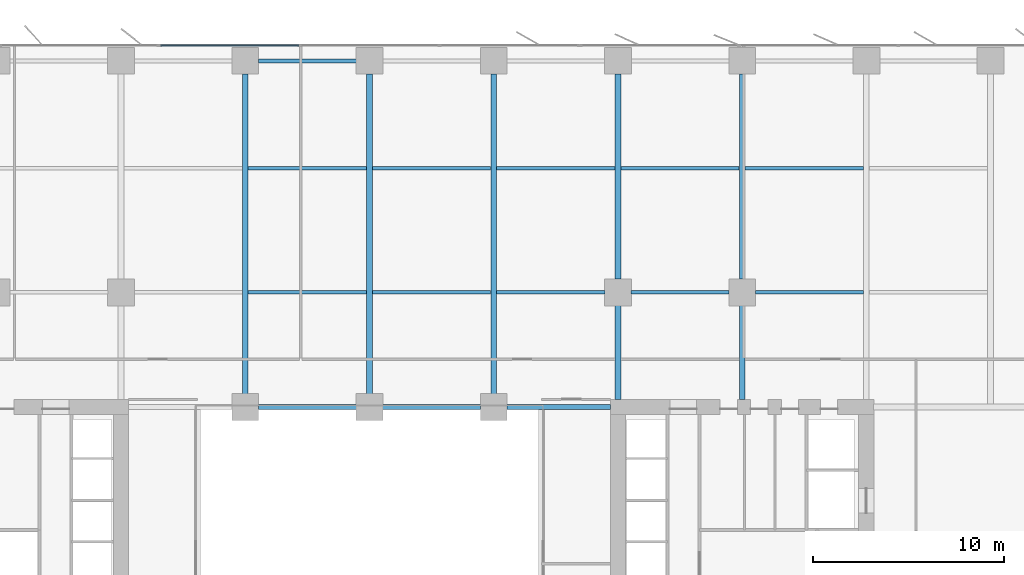
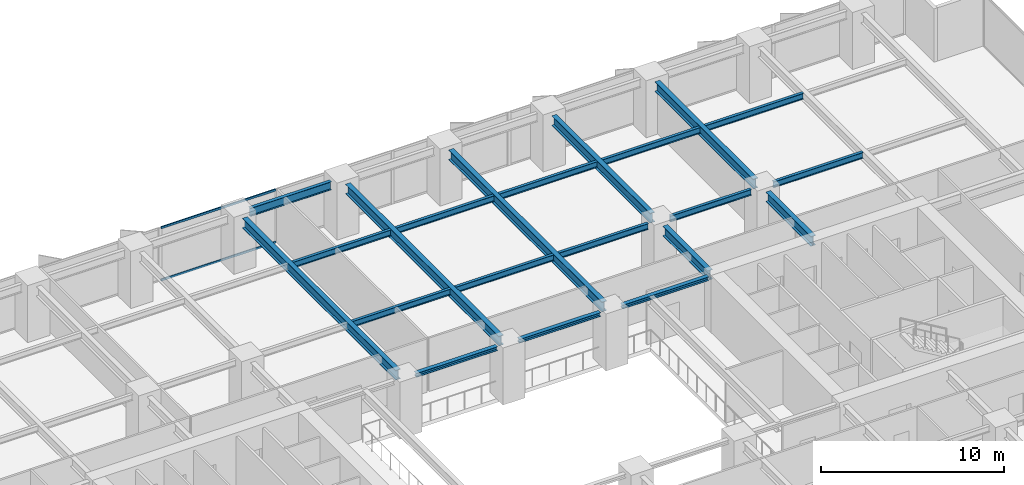
# One storey, part 8 of 20: 21 beams, 2 members, 1 element without a shape of its own.
"""IFC4 building model written with IfcOpenShell, lengths in metres."""

from ifc_helpers import new_model, si_unit, direction, frame, origin, origin_2d, place, context, subcontext, project, spatial, rectangle, i_section, extrude, material, layer, layer_set, material_profile, profile_set, type_object, element, aggregate, save


model = new_model("IFC4")

# Units and contexts
model_context = context("Model", 3, precision=1e-05, world=origin(), true_north=direction((0.0, 1.0)))
body_context = subcontext(model_context, "Body", "Model", "MODEL_VIEW")
ifc_project = project(units=[si_unit("LENGTHUNIT", "METRE"), si_unit("AREAUNIT", "SQUARE_METRE"), si_unit("VOLUMEUNIT", "CUBIC_METRE"), si_unit("PLANEANGLEUNIT", "RADIAN"), si_unit("MASSUNIT", "GRAM", prefix="KILO")], contexts=[model_context])

# Site, building, storey
site_placement = place(None, origin())
site = spatial("IfcSite", under=ifc_project, at=site_placement, CompositionType="ELEMENT")
building_placement = place(site_placement, origin())
building = spatial("IfcBuilding", under=site, at=building_placement, Name="Putna Gate Headquarters", CompositionType="ELEMENT")
storey_placement = place(building_placement, frame((0.0, 0.0, 43.0)))
storey = spatial("IfcBuildingStorey", under=building, at=storey_placement, Name="L09", CompositionType="ELEMENT", Elevation=43.0)

# Beams
ifc_material_1 = material(Name="Steel S355J2", Category="steel")
ifc_material_profile_1 = material_profile(ifc_material_1, i_section(OverallWidth=0.260009765625, OverallDepth=0.260009765625, WebThickness=0.010009765625, FlangeThickness=0.017578125, at=origin_2d()), Name="Steel S355J2")
ifc_profile_set_1 = profile_set([ifc_material_profile_1], Name="Steel S355J2")
beam_type_1 = type_object("IfcBeamType", Name="BM-ATRIUM-HEB260", PredefinedType="BEAM", material=ifc_profile_set_1)
for number, where, z_axis, x_axis, name in (
    (1, (33.18798828125, 33.0, 3.419921875), (1.0, 0.0, 0.0), (0.0, 1.0, 0.0), "L09 Atrium Edge Beam AN2"),
    (2, (39.68798828125, 33.0, 3.419921875), (1.0, 0.0, 0.0), (0.0, 1.0, 0.0), "L09 Atrium Edge Beam AN3"),
):
    element("IfcBeam", number, at=place(storey_placement, frame(where, z_axis=z_axis, x_axis=x_axis)), inside=storey, type_object=beam_type_1, Name=name, PredefinedType="BEAM", context=body_context, shape_type="SweptSolid", body=[
        extrude(i_section(OverallWidth=0.260009765625, OverallDepth=0.260009765625, WebThickness=0.010009765625, FlangeThickness=0.017578125, at=origin_2d()), origin(), (0.0, 0.0, 1.0), 5.1240234375),
    ])
beam_1_placement = place(storey_placement, frame((46.18798828125, 33.0, 3.419921875), z_axis=(1.0, 0.0, 0.0), x_axis=(0.0, 1.0, 0.0)))
element("IfcBeam", 3, at=beam_1_placement, inside=storey, type_object=beam_type_1, Name="L09 Atrium Edge Beam AN4", PredefinedType="BEAM", context=body_context, shape_type="SweptSolid", body=[
    extrude(i_section(OverallWidth=0.260009765625, OverallDepth=0.260009765625, WebThickness=0.010009765625, FlangeThickness=0.017578125, at=origin_2d()), origin(), (0.0, 0.0, 1.0), 5.427001953125),
])
ifc_material_profile_2 = material_profile(ifc_material_1, i_section(OverallWidth=0.300048828125, OverallDepth=0.64990234375, WebThickness=0.01611328125, FlangeThickness=0.031005859375, at=origin_2d()), Name="Steel S355J2")
ifc_profile_set_2 = profile_set([ifc_material_profile_2], Name="Steel S355J2")
beam_type_2 = type_object("IfcBeamType", Name="BM-GIRD-Z1-HEB650", PredefinedType="USERDEFINED", material=ifc_profile_set_2)
for number, where, z_axis, x_axis, name in (
    (4, (32.5, 33.68798828125, 3.22509765625), (0.0, 1.0, 0.0), (-1.0, 0.0, 0.0), "L09 North Primary Girder X32"),
    (5, (39.0, 33.68798828125, 3.22509765625), (0.0, 1.0, 0.0), (-1.0, 0.0, 0.0), "L09 North Primary Girder X39"),
    (6, (45.5, 33.68798828125, 3.22509765625), (0.0, 1.0, 0.0), (-1.0, 0.0, 0.0), "L09 North Primary Girder X45"),
):
    element("IfcBeam", number, at=place(storey_placement, frame(where, z_axis=z_axis, x_axis=x_axis)), inside=storey, type_object=beam_type_2, Name=name, ObjectType="GIRDER", PredefinedType="USERDEFINED", context=body_context, shape_type="SweptSolid", body=[
        extrude(i_section(OverallWidth=0.300048828125, OverallDepth=0.64990234375, WebThickness=0.01611328125, FlangeThickness=0.031005859375, at=origin_2d()), origin(), (0.0, 0.0, 1.0), 16.743896484375),
    ])
beam_2_placement = place(storey_placement, frame((52.0, 33.385009765625, 3.22509765625), z_axis=(0.0, 1.0, 0.0), x_axis=(-1.0, 0.0, 0.0)))
element("IfcBeam", 7, at=beam_2_placement, inside=storey, type_object=beam_type_2, Name="L09 North Primary Girder X52-1", ObjectType="GIRDER", PredefinedType="USERDEFINED", context=body_context, shape_type="SweptSolid", body=[
    extrude(i_section(OverallWidth=0.300048828125, OverallDepth=0.64990234375, WebThickness=0.01611328125, FlangeThickness=0.031005859375, at=origin_2d()), origin(), (0.0, 0.0, 1.0), 4.927001953125),
])
beam_3_placement = place(storey_placement, frame((52.0, 39.68798828125, 3.22509765625), z_axis=(0.0, 1.0, 0.0), x_axis=(-1.0, 0.0, 0.0)))
element("IfcBeam", 8, at=beam_3_placement, inside=storey, type_object=beam_type_2, Name="L09 North Primary Girder X52-2", ObjectType="GIRDER", PredefinedType="USERDEFINED", context=body_context, shape_type="SweptSolid", body=[
    extrude(i_section(OverallWidth=0.300048828125, OverallDepth=0.64990234375, WebThickness=0.01611328125, FlangeThickness=0.031005859375, at=origin_2d()), origin(), (0.0, 0.0, 1.0), 10.743896484375),
])
beam_4_placement = place(storey_placement, frame((58.5, 33.385009765625, 3.22509765625), z_axis=(0.0, 1.0, 0.0), x_axis=(-1.0, 0.0, 0.0)))
element("IfcBeam", 9, at=beam_4_placement, inside=storey, type_object=beam_type_2, Name="L09 North Primary Girder X58-1", ObjectType="GIRDER", PredefinedType="USERDEFINED", context=body_context, shape_type="SweptSolid", body=[
    extrude(i_section(OverallWidth=0.300048828125, OverallDepth=0.64990234375, WebThickness=0.01611328125, FlangeThickness=0.031005859375, at=origin_2d()), origin(), (0.0, 0.0, 1.0), 4.927001953125),
])
beam_5_placement = place(storey_placement, frame((58.5, 39.68798828125, 3.22509765625), z_axis=(0.0, 1.0, 0.0), x_axis=(-1.0, 0.0, 0.0)))
element("IfcBeam", 10, at=beam_5_placement, inside=storey, type_object=beam_type_2, Name="L09 North Primary Girder X58-2", ObjectType="GIRDER", PredefinedType="USERDEFINED", context=body_context, shape_type="SweptSolid", body=[
    extrude(i_section(OverallWidth=0.300048828125, OverallDepth=0.64990234375, WebThickness=0.01611328125, FlangeThickness=0.031005859375, at=origin_2d()), origin(), (0.0, 0.0, 1.0), 10.743896484375),
])
ifc_material_profile_3 = material_profile(ifc_material_1, i_section(OverallWidth=0.179931640625, OverallDepth=0.39990234375, WebThickness=0.008544921875, FlangeThickness=0.013427734375, at=origin_2d()), Name="Steel S355J2")
ifc_profile_set_3 = profile_set([ifc_material_profile_3], Name="Steel S355J2")
beam_type_3 = type_object("IfcBeamType", Name="BM-SEC-Z1-IPE400", PredefinedType="BEAM", material=ifc_profile_set_3)
for number, where, z_axis, x_axis, name in (
    (11, (32.654052734375, 39.0, 3.35009765625), (1.0, 0.0, 0.0), (0.0, 1.0, 0.0), "L09 North Secondary Beam 5"),
    (12, (32.654052734375, 45.5, 3.35009765625), (1.0, 0.0, 0.0), (0.0, 1.0, 0.0), "L09 North Secondary Beam 5"),
    (13, (39.154052734375, 39.0, 3.35009765625), (1.0, 0.0, 0.0), (0.0, 1.0, 0.0), "L09 North Secondary Beam 6"),
    (14, (39.154052734375, 45.5, 3.35009765625), (1.0, 0.0, 0.0), (0.0, 1.0, 0.0), "L09 North Secondary Beam 6"),
):
    element("IfcBeam", number, at=place(storey_placement, frame(where, z_axis=z_axis, x_axis=x_axis)), inside=storey, type_object=beam_type_3, Name=name, PredefinedType="BEAM", context=body_context, shape_type="SweptSolid", body=[
        extrude(i_section(OverallWidth=0.179931640625, OverallDepth=0.39990234375, WebThickness=0.008544921875, FlangeThickness=0.013427734375, at=origin_2d()), origin(), (0.0, 0.0, 1.0), 6.19189453125),
    ])
beam_6_placement = place(storey_placement, frame((45.654052734375, 39.0, 3.35009765625), z_axis=(1.0, 0.0, 0.0), x_axis=(0.0, 1.0, 0.0)))
element("IfcBeam", 15, at=beam_6_placement, inside=storey, type_object=beam_type_3, Name="L09 North Secondary Beam 7", PredefinedType="BEAM", context=body_context, shape_type="SweptSolid", body=[
    extrude(i_section(OverallWidth=0.179931640625, OverallDepth=0.39990234375, WebThickness=0.008544921875, FlangeThickness=0.013427734375, at=origin_2d()), origin(), (0.0, 0.0, 1.0), 5.657958984375),
])
beam_7_placement = place(storey_placement, frame((45.654052734375, 45.5, 3.35009765625), z_axis=(1.0, 0.0, 0.0), x_axis=(0.0, 1.0, 0.0)))
element("IfcBeam", 16, at=beam_7_placement, inside=storey, type_object=beam_type_3, Name="L09 North Secondary Beam 7", PredefinedType="BEAM", context=body_context, shape_type="SweptSolid", body=[
    extrude(i_section(OverallWidth=0.179931640625, OverallDepth=0.39990234375, WebThickness=0.008544921875, FlangeThickness=0.013427734375, at=origin_2d()), origin(), (0.0, 0.0, 1.0), 6.19189453125),
])
beam_8_placement = place(storey_placement, frame((52.68798828125, 39.0, 3.35009765625), z_axis=(1.0, 0.0, 0.0), x_axis=(0.0, 1.0, 0.0)))
element("IfcBeam", 17, at=beam_8_placement, inside=storey, type_object=beam_type_3, Name="L09 North Secondary Beam 8", PredefinedType="BEAM", context=body_context, shape_type="SweptSolid", body=[
    extrude(i_section(OverallWidth=0.179931640625, OverallDepth=0.39990234375, WebThickness=0.008544921875, FlangeThickness=0.013427734375, at=origin_2d()), origin(), (0.0, 0.0, 1.0), 5.1240234375),
])
beam_9_placement = place(storey_placement, frame((52.154052734375, 45.5, 3.35009765625), z_axis=(1.0, 0.0, 0.0), x_axis=(0.0, 1.0, 0.0)))
element("IfcBeam", 18, at=beam_9_placement, inside=storey, type_object=beam_type_3, Name="L09 North Secondary Beam 8", PredefinedType="BEAM", context=body_context, shape_type="SweptSolid", body=[
    extrude(i_section(OverallWidth=0.179931640625, OverallDepth=0.39990234375, WebThickness=0.008544921875, FlangeThickness=0.013427734375, at=origin_2d()), origin(), (0.0, 0.0, 1.0), 6.19189453125),
])
beam_10_placement = place(storey_placement, frame((59.18798828125, 39.0, 3.35009765625), z_axis=(1.0, 0.0, 0.0), x_axis=(0.0, 1.0, 0.0)))
element("IfcBeam", 19, at=beam_10_placement, inside=storey, type_object=beam_type_3, Name="L09 North Secondary Beam 9", PredefinedType="BEAM", context=body_context, shape_type="SweptSolid", body=[
    extrude(i_section(OverallWidth=0.179931640625, OverallDepth=0.39990234375, WebThickness=0.008544921875, FlangeThickness=0.013427734375, at=origin_2d()), origin(), (0.0, 0.0, 1.0), 5.657958984375),
])
beam_11_placement = place(storey_placement, frame((58.654052734375, 45.5, 3.35009765625), z_axis=(1.0, 0.0, 0.0), x_axis=(0.0, 1.0, 0.0)))
element("IfcBeam", 20, at=beam_11_placement, inside=storey, type_object=beam_type_3, Name="L09 North Secondary Beam 9", PredefinedType="BEAM", context=body_context, shape_type="SweptSolid", body=[
    extrude(i_section(OverallWidth=0.179931640625, OverallDepth=0.39990234375, WebThickness=0.008544921875, FlangeThickness=0.013427734375, at=origin_2d()), origin(), (0.0, 0.0, 1.0), 6.19189453125),
])
ifc_material_profile_4 = material_profile(ifc_material_1, i_section(OverallWidth=0.2099609375, OverallDepth=0.550048828125, WebThickness=0.010986328125, FlangeThickness=0.01708984375, at=origin_2d()), Name="Steel S355J2")
ifc_profile_set_4 = profile_set([ifc_material_profile_4], Name="Steel S355J2")
beam_type_4 = type_object("IfcBeamType", Name="BM-SPAN-Z1-IPE550", PredefinedType="SPANDREL", material=ifc_profile_set_4)
beam_12_placement = place(storey_placement, frame((33.18798828125, 51.1201171875, 3.27490234375), z_axis=(1.0, 0.0, 0.0), x_axis=(0.0, 1.0, 0.0)))
element("IfcBeam", 21, at=beam_12_placement, inside=storey, type_object=beam_type_4, Name="L09 N Perimeter Spandrel 5", PredefinedType="SPANDREL", context=body_context, shape_type="SweptSolid", body=[
    extrude(i_section(OverallWidth=0.2099609375, OverallDepth=0.550048828125, WebThickness=0.010986328125, FlangeThickness=0.01708984375, at=origin_2d()), origin(), (0.0, 0.0, 1.0), 5.1240234375),
])

# Curtain wall, members
ifc_material_2 = material(Name="Anodised bronze aluminium curtain wall", Category="aluminium")
ifc_layer = layer(ifc_material_2, 0.179931640625)
ifc_layer_set = layer_set([ifc_layer], Name="Anodised bronze aluminium curtain wall")
curtain_wall_type = type_object("IfcCurtainWallType", Name="CW-SYS-ATR", PredefinedType="USERDEFINED", material=ifc_layer_set)
curtain_wall_placement = place(storey_placement, origin())
curtain_wall = element("IfcCurtainWall", 22, at=curtain_wall_placement, inside=storey, type_object=curtain_wall_type, Name="L09 North Atrium Clear Glazing", ObjectType="ATRIUM GLAZING", PredefinedType="USERDEFINED")
ifc_material_3 = material(Name="Anodised bronze aluminium EN AW-6060", Category="aluminium")
ifc_material_profile_5 = material_profile(ifc_material_3, rectangle(XDim=0.070068359375, YDim=0.139892578125, at=origin_2d()), Name="Anodised bronze aluminium EN AW-6060")
ifc_profile_set_5 = profile_set([ifc_material_profile_5], Name="Anodised bronze aluminium EN AW-6060")
member_type = type_object("IfcMemberType", Name="TRAN-CWT-AT", PredefinedType="USERDEFINED", material=ifc_profile_set_5)
member_1_placement = place(storey_placement, frame((28.070068359375, 51.919921875, 0.034912109375), z_axis=(1.0, 0.0, 0.0), x_axis=(0.0, 1.0, 0.0)))
member_1 = element("IfcMember", 23, at=member_1_placement, type_object=member_type, Name="CWS-AT transom 1.1", ObjectType="TRANSOM", PredefinedType="USERDEFINED", context=body_context, shape_type="SweptSolid", body=[
    extrude(rectangle(XDim=0.070068359375, YDim=0.139892578125, at=origin_2d()), origin(), (0.0, 0.0, 1.0), 7.228271484375),
])
member_2_placement = place(storey_placement, frame((28.070068359375, 51.919921875, 3.514892578125), z_axis=(1.0, 0.0, 0.0), x_axis=(0.0, 1.0, 0.0)))
member_2 = element("IfcMember", 24, at=member_2_placement, type_object=member_type, Name="CWS-AT transom 1.2", ObjectType="TRANSOM", PredefinedType="USERDEFINED", context=body_context, shape_type="SweptSolid", body=[
    extrude(rectangle(XDim=0.070068359375, YDim=0.139892578125, at=origin_2d()), origin(), (0.0, 0.0, 1.0), 7.228271484375),
])
aggregate(curtain_wall, [member_1, member_2])

save(model, "model.ifc")
